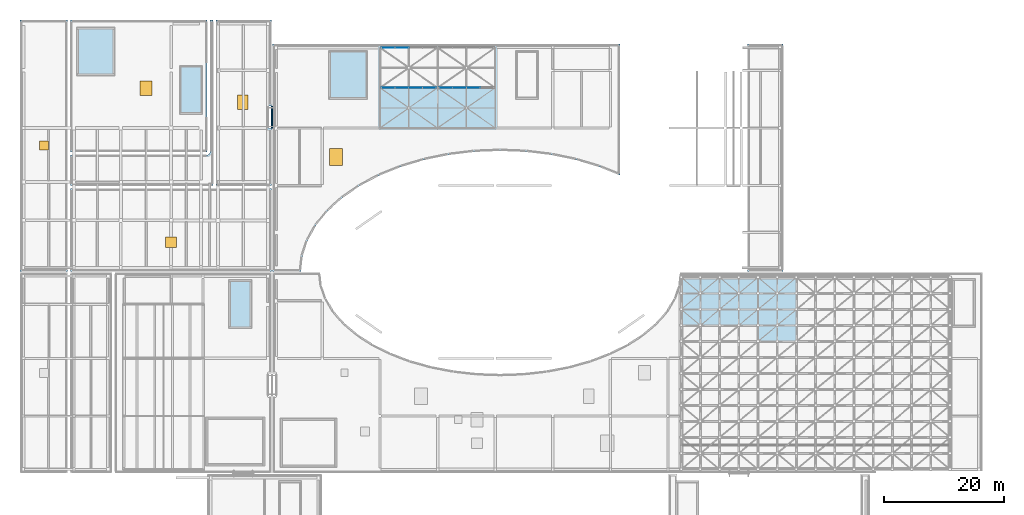
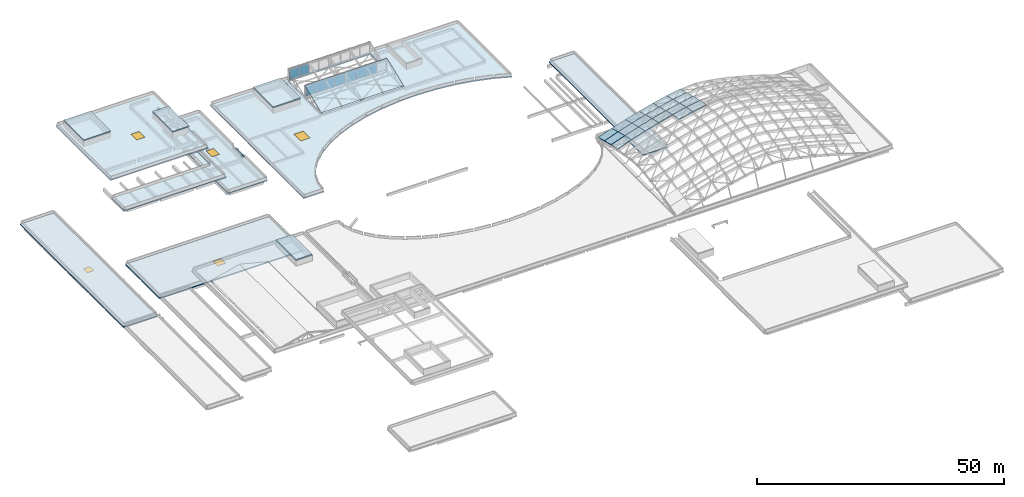
"""IFC4 building model written with IfcOpenShell, lengths in metres."""

from ifc_helpers import new_model, si_unit, direction, frame, origin, origin_2d, place, context, subcontext, project, spatial, polyline, rectangle, outline, extrude, material, layer, layer_set, type_object, element, fill, aggregate, save


model = new_model("IFC4")

# Units and contexts
model_context = context("Model", 3, precision=1e-05, world=origin(), true_north=direction((0.0, 1.0)))
body_context = subcontext(model_context, "Body", "Model", "MODEL_VIEW")
ifc_project = project(units=[si_unit("LENGTHUNIT", "METRE"), si_unit("AREAUNIT", "SQUARE_METRE"), si_unit("VOLUMEUNIT", "CUBIC_METRE"), si_unit("PLANEANGLEUNIT", "RADIAN"), si_unit("MASSUNIT", "GRAM", prefix="KILO")], contexts=[model_context])

# Site, building, storey
site_placement = place(None, origin())
site = spatial("IfcSite", under=ifc_project, at=site_placement, CompositionType="ELEMENT")
building_placement = place(site_placement, origin())
building = spatial("IfcBuilding", under=site, at=building_placement, Name="Mzevani Central Library", CompositionType="ELEMENT")
storey_1_placement = place(building_placement, frame((0.0, 0.0, 26.699951171875)))
storey_1 = spatial("IfcBuildingStorey", under=building, at=storey_1_placement, Name="RF", CompositionType="ELEMENT", Elevation=26.699951171875)

# Curtain wall, plates
ifc_material_1 = material(Name="Thermally broken aluminium and Low-E triple glazing", Category="aluminium")
curtain_wall_type = type_object("IfcCurtainWallType", Name="Sawtooth Clerestory Curtain Wall", PredefinedType="NOTDEFINED", material=ifc_material_1)
curtain_wall_1_placement = place(storey_1_placement, origin())
curtain_wall_1 = element("IfcCurtainWall", 1, at=curtain_wall_1_placement, inside=storey_1, type_object=curtain_wall_type, Name="RF Sawtooth Northlight Clerestory 1.1", PredefinedType="NOTDEFINED")
ifc_material_2 = material(Name="Low-E triple glazing glass", Category="glass")
ifc_layer_1 = layer(ifc_material_2, 0.028076171875, Name="CW Triple Glazed Vision Panel 28")
ifc_layer_set_1 = layer_set([ifc_layer_1], Name="Low-E triple glazing glass")
plate_type = type_object("IfcPlateType", Name="CW Triple Glazed Vision Panel 28", PredefinedType="CURTAIN_PANEL", material=ifc_layer_set_1)
plate_1_placement = place(storey_1_placement, frame((65.35009765625, 106.699951171875, -3.949951171875), z_axis=(0.0, 0.0, 1.0), x_axis=(1.0, 0.0, 0.0)))
plate_1 = element("IfcPlate", 2, at=plate_1_placement, type_object=plate_type, Name="RF Sawtooth Northlight Clerestory 1.1 Vision Panel 1", PredefinedType="CURTAIN_PANEL", context=body_context, shape_type="SweptSolid", body=[
    extrude(rectangle(XDim=2.300048828125, YDim=0.028076171875, at=origin_2d()), origin(), (0.0, 0.0, 1.0), 2.5),
])
plate_2_placement = place(storey_1_placement, frame((67.64990234375, 106.699951171875, -3.949951171875), z_axis=(0.0, 0.0, 1.0), x_axis=(1.0, 0.0, 0.0)))
plate_2 = element("IfcPlate", 3, at=plate_2_placement, type_object=plate_type, Name="RF Sawtooth Northlight Clerestory 1.1 Vision Panel 2", PredefinedType="CURTAIN_PANEL", context=body_context, shape_type="SweptSolid", body=[
    extrude(rectangle(XDim=2.300048828125, YDim=0.028076171875, at=origin_2d()), origin(), (0.0, 0.0, 1.0), 2.5),
])
plate_3_placement = place(storey_1_placement, frame((69.949951171875, 106.699951171875, -3.949951171875), z_axis=(0.0, 0.0, 1.0), x_axis=(1.0, 0.0, 0.0)))
plate_3 = element("IfcPlate", 4, at=plate_3_placement, type_object=plate_type, Name="RF Sawtooth Northlight Clerestory 1.1 Vision Panel 3", PredefinedType="CURTAIN_PANEL", context=body_context, shape_type="SweptSolid", body=[
    extrude(rectangle(XDim=2.300048828125, YDim=0.028076171875, at=origin_2d()), origin(), (0.0, 0.0, 1.0), 2.5),
])
plate_4_placement = place(storey_1_placement, frame((72.25, 106.699951171875, -3.949951171875), z_axis=(0.0, 0.0, 1.0), x_axis=(1.0, 0.0, 0.0)))
plate_4 = element("IfcPlate", 5, at=plate_4_placement, type_object=plate_type, Name="RF Sawtooth Northlight Clerestory 1.1 Vision Panel 4", PredefinedType="CURTAIN_PANEL", context=body_context, shape_type="SweptSolid", body=[
    extrude(rectangle(XDim=2.300048828125, YDim=0.028076171875, at=origin_2d()), origin(), (0.0, 0.0, 1.0), 2.5),
])
aggregate(curtain_wall_1, [plate_1, plate_2, plate_3, plate_4])

curtain_wall_2_placement = place(storey_1_placement, origin())
curtain_wall_2 = element("IfcCurtainWall", 6, at=curtain_wall_2_placement, inside=storey_1, type_object=curtain_wall_type, Name="RF Sawtooth Northlight Clerestory 1.2", PredefinedType="NOTDEFINED")
plate_5_placement = place(storey_1_placement, frame((74.949951171875, 106.699951171875, -3.949951171875), z_axis=(0.0, 0.0, 1.0), x_axis=(1.0, 0.0, 0.0)))
plate_5 = element("IfcPlate", 7, at=plate_5_placement, type_object=plate_type, Name="RF Sawtooth Northlight Clerestory 1.2 Vision Panel 1", PredefinedType="CURTAIN_PANEL", context=body_context, shape_type="SweptSolid", body=[
    extrude(rectangle(XDim=2.300048828125, YDim=0.028076171875, at=origin_2d()), origin(), (0.0, 0.0, 1.0), 2.5),
])
plate_6_placement = place(storey_1_placement, frame((77.25, 106.699951171875, -3.949951171875), z_axis=(0.0, 0.0, 1.0), x_axis=(1.0, 0.0, 0.0)))
plate_6 = element("IfcPlate", 8, at=plate_6_placement, type_object=plate_type, Name="RF Sawtooth Northlight Clerestory 1.2 Vision Panel 2", PredefinedType="CURTAIN_PANEL", context=body_context, shape_type="SweptSolid", body=[
    extrude(rectangle(XDim=2.300048828125, YDim=0.028076171875, at=origin_2d()), origin(), (0.0, 0.0, 1.0), 2.5),
])
plate_7_placement = place(storey_1_placement, frame((79.550048828125, 106.699951171875, -3.949951171875), z_axis=(0.0, 0.0, 1.0), x_axis=(1.0, 0.0, 0.0)))
plate_7 = element("IfcPlate", 9, at=plate_7_placement, type_object=plate_type, Name="RF Sawtooth Northlight Clerestory 1.2 Vision Panel 3", PredefinedType="CURTAIN_PANEL", context=body_context, shape_type="SweptSolid", body=[
    extrude(rectangle(XDim=2.300048828125, YDim=0.028076171875, at=origin_2d()), origin(), (0.0, 0.0, 1.0), 2.5),
])
aggregate(curtain_wall_2, [plate_5, plate_6, plate_7])

curtain_wall_3_placement = place(storey_1_placement, origin())
curtain_wall_3 = element("IfcCurtainWall", 10, at=curtain_wall_3_placement, inside=storey_1, type_object=curtain_wall_type, Name="RF Sawtooth Northlight Clerestory 2.1", PredefinedType="NOTDEFINED")
plate_8_placement = place(storey_1_placement, frame((65.35009765625, 113.39990234375, -3.949951171875), z_axis=(0.0, 0.0, 1.0), x_axis=(1.0, 0.0, 0.0)))
plate_8 = element("IfcPlate", 11, at=plate_8_placement, type_object=plate_type, Name="RF Sawtooth Northlight Clerestory 2.1 Vision Panel 1", PredefinedType="CURTAIN_PANEL", context=body_context, shape_type="SweptSolid", body=[
    extrude(rectangle(XDim=2.300048828125, YDim=0.028076171875, at=origin_2d()), origin(), (0.0, 0.0, 1.0), 2.5),
])
plate_9_placement = place(storey_1_placement, frame((67.64990234375, 113.39990234375, -3.949951171875), z_axis=(0.0, 0.0, 1.0), x_axis=(1.0, 0.0, 0.0)))
plate_9 = element("IfcPlate", 12, at=plate_9_placement, type_object=plate_type, Name="RF Sawtooth Northlight Clerestory 2.1 Vision Panel 2", PredefinedType="CURTAIN_PANEL", context=body_context, shape_type="SweptSolid", body=[
    extrude(rectangle(XDim=2.300048828125, YDim=0.028076171875, at=origin_2d()), origin(), (0.0, 0.0, 1.0), 2.5),
])
aggregate(curtain_wall_3, [plate_8, plate_9])

# Slab
ifc_material_3 = material(Name="Precast concrete C40/50", Category="concrete")
ifc_layer_2 = layer(ifc_material_3, 0.260009765625, Name="Flat Thermal Roof Slab 260")
ifc_layer_set_2 = layer_set([ifc_layer_2], Name="Precast concrete C40/50")
slab_type_1 = type_object("IfcSlabType", Name="Flat Thermal Roof Slab 260", PredefinedType="ROOF", material=ifc_layer_set_2)
slab_1_placement = place(storey_1_placement, frame((0.0, 0.0, -8.659912109375)))
element("IfcSlab", 13, at=slab_1_placement, inside=storey_1, type_object=slab_type_1, Name="Stacks-Court Seismic Passage L03 Roof Slab", PredefinedType="ROOF", context=body_context, shape_type="SweptSolid", body=[
    extrude(outline(polyline([(45.89990234375, 100.0), (46.10009765625, 100.0), (46.10009765625, 103.60009765625), (45.89990234375, 103.60009765625), (45.89990234375, 100.0)])), origin(), (0.0, 0.0, 1.0), 0.260009765625),
])

# Slab, opening
slab_2_placement = place(storey_1_placement, frame((0.0, 0.0, -21.56005859375)))
slab_2 = element("IfcSlab", 14, at=slab_2_placement, inside=storey_1, type_object=slab_type_1, Name="RF V2 Insulated Concrete Roof (L00 Top 1)", PredefinedType="ROOF", context=body_context, shape_type="SweptSolid", body=[
    extrude(outline(polyline([(4.0, 76.10009765625), (4.0, 118.0), (11.919921875, 118.0), (11.919921875, 76.10009765625), (4.0, 76.10009765625)])), origin(), (0.0, 0.0, 1.0), 0.260009765625),
])
opening_1_placement = place(slab_2_placement, frame((7.9599609375, 97.050048828125, 0.0)))
opening_1 = element("IfcOpeningElement", 15, at=opening_1_placement, cuts=slab_2, Name="Opening SK-01", PredefinedType="OPENING", context=body_context, shape_type="SweptSolid", body=[
    extrude(rectangle(XDim=1.5, YDim=1.5, at=origin_2d()), origin(), (0.0, 0.0, 1.0), 0.260009765625),
])

# Storey
storey_2_placement = place(building_placement, origin())
storey_2 = spatial("IfcBuildingStorey", under=building, at=storey_2_placement, Name="L00", CompositionType="ELEMENT", Elevation=0.0)

# Window
window_type_1 = type_object("IfcWindowType", Name="Smoke Vent Skylight 1500x1500", PartitioningType="SINGLE_PANEL", PredefinedType="SKYLIGHT", material=ifc_material_2)
window_1_placement = place(opening_1_placement, frame((0.0, 0.0, 0.2099609375)))
window_1 = element("IfcWindow", 16, at=window_1_placement, inside=storey_2, type_object=window_type_1, Name="L00 V2 SK-01 Roof Hatch / Skylight (2)", OverallHeight=1.5, OverallWidth=1.5, PartitioningType="SINGLE_PANEL", PredefinedType="SKYLIGHT", context=body_context, shape_type="SweptSolid", body=[
    extrude(rectangle(XDim=1.5, YDim=1.5, at=origin_2d()), origin(), (0.0, 0.0, 1.0), 0.050048828125),
])

fill(opening_1, window_1)

# Slab, opening
slab_3_placement = place(storey_1_placement, frame((0.0, 0.0, -17.35986328125)))
slab_3 = element("IfcSlab", 17, at=slab_3_placement, inside=storey_1, type_object=slab_type_1, Name="RF V2 Insulated Concrete Roof (L01 Top 1)", PredefinedType="ROOF", context=body_context, shape_type="SweptSolid", body=[
    extrude(outline(polyline([(12.39990234375, 89.919921875), (45.89990234375, 89.919921875), (45.89990234375, 76.10009765625), (12.39990234375, 76.10009765625), (12.39990234375, 89.919921875)])), origin(), (0.0, 0.0, 1.0), 0.260009765625),
])
opening_2_placement = place(slab_3_placement, frame((29.14990234375, 80.949951171875, 0.0)))
opening_2 = element("IfcOpeningElement", 18, at=opening_2_placement, cuts=slab_3, Name="Opening SK-02", PredefinedType="OPENING", context=body_context, shape_type="SweptSolid", body=[
    extrude(rectangle(XDim=1.800048828125, YDim=1.800048828125, at=origin_2d()), origin(), (0.0, 0.0, 1.0), 0.260009765625),
])

# Storey
storey_3_placement = place(building_placement, frame((0.0, 0.0, 5.39990234375)))
storey_3 = spatial("IfcBuildingStorey", under=building, at=storey_3_placement, Name="L01", CompositionType="ELEMENT", Elevation=5.39990234375)

# Window
window_type_2 = type_object("IfcWindowType", Name="Atrium Skylight 1800x1800", PartitioningType="SINGLE_PANEL", PredefinedType="SKYLIGHT", material=ifc_material_2)
window_2_placement = place(opening_2_placement, frame((0.0, 0.0, 0.2099609375)))
window_2 = element("IfcWindow", 19, at=window_2_placement, inside=storey_3, type_object=window_type_2, Name="L01 V2 SK-02 Roof Hatch / Skylight (3)", OverallHeight=1.800048828125, OverallWidth=1.800048828125, PartitioningType="SINGLE_PANEL", PredefinedType="SKYLIGHT", context=body_context, shape_type="SweptSolid", body=[
    extrude(rectangle(XDim=1.800048828125, YDim=1.800048828125, at=origin_2d()), origin(), (0.0, 0.0, 1.0), 0.050048828125),
])

fill(opening_2, window_2)

# Slab, opening
slab_4_placement = place(storey_1_placement, frame((0.0, 0.0, -8.659912109375)))
slab_4 = element("IfcSlab", 20, at=slab_4_placement, inside=storey_1, type_object=slab_type_1, Name="RF V2 Insulated Concrete Roof (L03 Top 1)", PredefinedType="ROOF", context=body_context, shape_type="SweptSolid", body=[
    extrude(outline(polyline([(45.89990234375, 103.679931640625), (45.47998046875, 103.679931640625), (45.47998046875, 99.919921875), (45.89990234375, 99.919921875), (45.89990234375, 90.39990234375), (36.679931640625, 90.39990234375), (36.679931640625, 118.0), (45.89990234375, 118.0), (45.89990234375, 103.679931640625)])), origin(), (0.0, 0.0, 1.0), 0.260009765625),
])
opening_3_placement = place(slab_4_placement, frame((41.12060546875, 104.31103515625, 0.0)))
opening_3 = element("IfcOpeningElement", 21, at=opening_3_placement, cuts=slab_4, Name="Opening SK-03", PredefinedType="OPENING", context=body_context, shape_type="SweptSolid", body=[
    extrude(rectangle(XDim=1.800048828125, YDim=2.39990234375, at=origin_2d()), origin(), (0.0, 0.0, 1.0), 0.260009765625),
])

# Storey
storey_4_placement = place(building_placement, frame((0.0, 0.0, 13.800048828125)))
storey_4 = spatial("IfcBuildingStorey", under=building, at=storey_4_placement, Name="L03", CompositionType="ELEMENT", Elevation=13.800048828125)

# Window
window_type_3 = type_object("IfcWindowType", Name="Atrium Skylight 1800x2400", PartitioningType="SINGLE_PANEL", PredefinedType="SKYLIGHT", material=ifc_material_2)
window_3_placement = place(opening_3_placement, frame((0.0, 0.0, 0.2099609375)))
window_3 = element("IfcWindow", 22, at=window_3_placement, inside=storey_4, type_object=window_type_3, Name="L03 V2 SK-03 Roof Hatch / Skylight (4)", OverallHeight=2.39990234375, OverallWidth=1.800048828125, PartitioningType="SINGLE_PANEL", PredefinedType="SKYLIGHT", context=body_context, shape_type="SweptSolid", body=[
    extrude(rectangle(XDim=1.800048828125, YDim=2.39990234375, at=origin_2d()), origin(), (0.0, 0.0, 1.0), 0.050048828125),
])

fill(opening_3, window_3)

# Slab
slab_5_placement = place(storey_1_placement, frame((0.0, 0.0, -4.4599609375)))
element("IfcSlab", 23, at=slab_5_placement, inside=storey_1, type_object=slab_type_1, Name="RF V2 Insulated Concrete Roof (L04 Top 1)", PredefinedType="ROOF", context=body_context, shape_type="SweptSolid", body=[
    extrude(outline(polyline([(36.199951171875, 118.0), (36.199951171875, 90.39990234375), (12.39990234375, 90.39990234375), (12.39990234375, 95.52001953125), (35.199951171875, 95.52001953125), (35.3837890625, 95.556396484375), (35.571044921875, 95.695556640625), (35.679931640625, 96.0), (35.679931640625, 118.0), (36.199951171875, 118.0)])), origin(), (0.0, 0.0, 1.0), 0.260009765625),
])

# Slab, opening
slab_6_placement = place(storey_1_placement, frame((0.0, 0.0, -0.260009765625)))
slab_6 = element("IfcSlab", 24, at=slab_6_placement, inside=storey_1, type_object=slab_type_1, Name="RF V2 Insulated Concrete Roof (L05 Top 1)", PredefinedType="ROOF", context=body_context, shape_type="SweptSolid", body=[
    extrude(outline(polyline([(12.39990234375, 96.0), (12.39990234375, 118.0), (35.199951171875, 118.0), (35.199951171875, 96.0), (12.39990234375, 96.0)])), origin(), (0.0, 0.0, 1.0), 0.260009765625),
])
opening_4_placement = place(slab_6_placement, frame((25.0, 106.65380859375, 0.0)))
opening_4 = element("IfcOpeningElement", 25, at=opening_4_placement, cuts=slab_6, Name="Opening SK-04", PredefinedType="OPENING", context=body_context, shape_type="SweptSolid", body=[
    extrude(rectangle(XDim=2.0, YDim=2.39990234375, at=origin_2d()), origin(), (0.0, 0.0, 1.0), 0.260009765625),
])

# Storey
storey_5_placement = place(building_placement, frame((0.0, 0.0, 22.5)))
storey_5 = spatial("IfcBuildingStorey", under=building, at=storey_5_placement, Name="L05", CompositionType="ELEMENT", Elevation=22.5)

# Window
window_type_4 = type_object("IfcWindowType", Name="Reading Northlight 2000x2400", PartitioningType="SINGLE_PANEL", PredefinedType="SKYLIGHT", material=ifc_material_2)
window_4_placement = place(opening_4_placement, frame((0.0, 0.0, 0.2099609375)))
window_4 = element("IfcWindow", 26, at=window_4_placement, inside=storey_5, type_object=window_type_4, Name="L05 V2 SK-04 Roof Hatch / Skylight (5)", OverallHeight=2.39990234375, OverallWidth=2.0, PartitioningType="SINGLE_PANEL", PredefinedType="SKYLIGHT", context=body_context, shape_type="SweptSolid", body=[
    extrude(rectangle(XDim=2.0, YDim=2.39990234375, at=origin_2d()), origin(), (0.0, 0.0, 1.0), 0.050048828125),
])

fill(opening_4, window_4)

# Slab
slab_7_placement = place(storey_1_placement, frame((0.0, 0.0, -21.56005859375)))
element("IfcSlab", 27, at=slab_7_placement, inside=storey_1, type_object=slab_type_1, Name="RF V3 Insulated Concrete Roof (L00 Top 1)", PredefinedType="ROOF", context=body_context, shape_type="SweptSolid", body=[
    extrude(outline(polyline([(131.199951171875, 76.10009765625), (125.280029296875, 76.10009765625), (125.280029296875, 114.0), (131.199951171875, 114.0), (131.199951171875, 76.10009765625)])), origin(), (0.0, 0.0, 1.0), 0.260009765625),
])

# Slab, opening
slab_8_placement = place(storey_1_placement, frame((0.0, 0.0, -4.4599609375)))
slab_8 = element("IfcSlab", 28, at=slab_8_placement, inside=storey_1, type_object=slab_type_1, Name="RF V3 Insulated Concrete Roof (L04 Top 1)", PredefinedType="ROOF", context=body_context, shape_type="SweptSolid", body=[
    extrude(outline(polyline([(104.0, 114.0), (104.0, 92.121337890625), (100.60009765625, 93.50439453125), (96.705078125, 94.673583984375), (92.5927734375, 95.523681640625), (88.33349609375, 96.039306640625), (84.0, 96.21240234375), (79.66650390625, 96.039306640625), (75.4072265625, 95.523681640625), (71.294921875, 94.673583984375), (67.39990234375, 93.50439453125), (63.7890625, 92.035400390625), (60.524169921875, 90.292236328125), (57.66064453125, 88.304443359375), (55.248046875, 86.106201171875), (53.3271484375, 83.73486328125), (51.931396484375, 81.231201171875), (51.083984375, 78.63818359375), (50.810791015625, 76.10009765625), (46.10009765625, 76.10009765625), (46.10009765625, 114.0), (104.0, 114.0)]), holes=[polyline([(83.199951171875, 113.39990234375), (64.0, 113.39990234375), (64.0, 100.0), (83.199951171875, 100.0), (83.199951171875, 113.39990234375)])]), origin(), (0.0, 0.0, 1.0), 0.260009765625),
])
opening_5_placement = place(slab_8_placement, frame((56.657470703125, 95.17822265625, 0.0)))
opening_5 = element("IfcOpeningElement", 29, at=opening_5_placement, cuts=slab_8, Name="Opening SK-05", PredefinedType="OPENING", context=body_context, shape_type="SweptSolid", body=[
    extrude(rectangle(XDim=2.199951171875, YDim=2.800048828125, at=origin_2d()), origin(), (0.0, 0.0, 1.0), 0.260009765625),
])

# Storey
storey_6_placement = place(building_placement, frame((0.0, 0.0, 18.300048828125)))
storey_6 = spatial("IfcBuildingStorey", under=building, at=storey_6_placement, Name="L04", CompositionType="ELEMENT", Elevation=18.300048828125)

# Window
window_type_5 = type_object("IfcWindowType", Name="Reading Northlight 2200x2800", PartitioningType="SINGLE_PANEL", PredefinedType="SKYLIGHT", material=ifc_material_2)
window_5_placement = place(opening_5_placement, frame((0.0, 0.0, 0.2099609375)))
window_5 = element("IfcWindow", 30, at=window_5_placement, inside=storey_6, type_object=window_type_5, Name="L04 V3 SK-05 Roof Hatch / Skylight (6)", OverallHeight=2.800048828125, OverallWidth=2.199951171875, PartitioningType="SINGLE_PANEL", PredefinedType="SKYLIGHT", context=body_context, shape_type="SweptSolid", body=[
    extrude(rectangle(XDim=2.199951171875, YDim=2.800048828125, at=origin_2d()), origin(), (0.0, 0.0, 1.0), 0.050048828125),
])

fill(opening_5, window_5)

# Slabs
slab_9_placement = place(storey_1_placement, frame((0.0, 0.0, 1.5)))
element("IfcSlab", 31, at=slab_9_placement, inside=storey_1, type_object=slab_type_1, Name="RF Core C2A North-West Firefighting Core Overrun Roof Slab", PredefinedType="ROOF", context=body_context, shape_type="SweptSolid", body=[
    extrude(outline(polyline([(13.5, 108.699951171875), (19.800048828125, 108.699951171875), (19.800048828125, 116.800048828125), (13.5, 116.800048828125), (13.5, 108.699951171875)])), origin(), (0.0, 0.0, 1.0), 0.260009765625),
])
slab_10_placement = place(storey_1_placement, frame((0.0, 0.0, 1.5)))
element("IfcSlab", 32, at=slab_10_placement, inside=storey_1, type_object=slab_type_1, Name="RF Core C2B Stacks East Escape Stair Overrun Roof Slab", PredefinedType="ROOF", context=body_context, shape_type="SweptSolid", body=[
    extrude(outline(polyline([(30.60009765625, 102.300048828125), (34.39990234375, 102.300048828125), (34.39990234375, 110.39990234375), (30.60009765625, 110.39990234375), (30.60009765625, 102.300048828125)])), origin(), (0.0, 0.0, 1.0), 0.260009765625),
])
slab_11_placement = place(storey_1_placement, frame((0.0, 0.0, -2.699951171875)))
element("IfcSlab", 33, at=slab_11_placement, inside=storey_1, type_object=slab_type_1, Name="RF Core C3A North-East Firefighting Core Overrun Roof Slab", PredefinedType="ROOF", context=body_context, shape_type="SweptSolid", body=[
    extrude(outline(polyline([(55.5, 104.800048828125), (61.89990234375, 104.800048828125), (61.89990234375, 112.89990234375), (55.5, 112.89990234375), (55.5, 104.800048828125)])), origin(), (0.0, 0.0, 1.0), 0.260009765625),
])
slab_12_placement = place(storey_1_placement, frame((0.0, 0.0, -11.39990234375)))
element("IfcSlab", 34, at=slab_12_placement, inside=storey_1, type_object=slab_type_1, Name="RF Core C5B Lecture North Escape Stair Overrun Roof Slab", PredefinedType="ROOF", context=body_context, shape_type="SweptSolid", body=[
    extrude(outline(polyline([(38.800048828125, 66.60009765625), (42.60009765625, 66.60009765625), (42.60009765625, 74.699951171875), (38.800048828125, 74.699951171875), (38.800048828125, 66.60009765625)])), origin(), (0.0, 0.0, 1.0), 0.260009765625),
])

# Roof, slabs
ifc_material_4 = material(Name="Glulam GL28h", Category="wood")
roof_type = type_object("IfcRoofType", Name="Translational Gridshell Pavilion Roof", PredefinedType="PAVILION_ROOF", material=ifc_material_4)
roof_placement = place(storey_1_placement, origin())
roof = element("IfcRoof", 35, at=roof_placement, inside=storey_1, type_object=roof_type, Name="RF Volume V1 Main Reading Hall Translational Gridshell Roof", PredefinedType="PAVILION_ROOF")
ifc_layer_3 = layer(ifc_material_4, 0.179931640625, Name="Gridshell Roof Quad Slab 180")
ifc_layer_set_3 = layer_set([ifc_layer_3], Name="Glulam GL28h")
slab_type_2 = type_object("IfcSlabType", Name="Gridshell Roof Quad Slab 180", PredefinedType="ROOF", material=ifc_layer_set_3)
slab_13_placement = place(storey_1_placement, frame((114.199951171875, 67.10009765625, -10.47119140625), z_axis=(-0.323411186578, 0.209769282972, 0.922714502063), x_axis=(0.943711214964, 0.0, 0.330770528843)))
slab_13 = element("IfcSlab", 36, at=slab_13_placement, type_object=slab_type_2, Name="RF Gridshell Roof Panel 1.10", PredefinedType="ROOF", context=body_context, shape_type="SweptSolid", body=[
    extrude(outline(polyline([(0.0, 0.0), (3.3908160898531583, 0.0), (3.1903026076468333, 2.7271811979189478), (-0.2005134822063253, 2.7271811979189478), (0.0, 0.0)])), origin(), (0.0, 0.0, -1.0), 0.179931640625),
])
slab_14_placement = place(storey_1_placement, frame((114.199951171875, 69.7666015625, -11.077392578125), z_axis=(-0.321645627911, 0.233657554325, 0.917577374041), x_axis=(0.943700590547, 7.718419e-06, 0.330800839392)))
slab_14 = element("IfcSlab", 37, at=slab_14_placement, type_object=slab_type_2, Name="RF Gridshell Roof Panel 1.11", PredefinedType="ROOF", context=body_context, shape_type="SweptSolid", body=[
    extrude(outline(polyline([(0.0, 0.0), (3.3908160880031604, 2.7755575615628914e-17), (3.1662377613285986, 2.7426428324274013), (-0.22465908859824146, 2.742696666718075), (0.0, 0.0)])), origin(), (0.0, 0.0, -1.0), 0.179931640625),
])
slab_15_placement = place(storey_1_placement, frame((114.199951171875, 72.433349609375, -11.756591796875), z_axis=(-0.319948551713, 0.254415341198, 0.912636706702), x_axis=(0.943688738215, 0.0, 0.330834649584)))
slab_15 = element("IfcSlab", 38, at=slab_15_placement, type_object=slab_type_2, Name="RF Gridshell Roof Panel 1.12", PredefinedType="ROOF", context=body_context, shape_type="SweptSolid", body=[
    extrude(outline(polyline([(0.0, 0.0), (3.3908968522041336, 0.0), (3.1449516598252814, 2.757482885591658), (-0.24594519237885254, 2.757482885591658), (0.0, 0.0)])), origin(), (0.0, 0.0, -1.0), 0.179931640625),
])
slab_16_placement = place(storey_1_placement, frame((117.39990234375, 67.10009765625, -9.349609375), z_axis=(-0.302193151802, 0.211358905022, 0.92951961371), x_axis=(0.951003730558, -7.126729e-06, 0.309179404901)))
slab_16 = element("IfcSlab", 39, at=slab_16_placement, type_object=slab_type_2, Name="RF Gridshell Roof Panel 2.10", PredefinedType="ROOF", context=body_context, shape_type="SweptSolid", body=[
    extrude(outline(polyline([(0.0, 0.0), (3.365107305623953, 0.0), (3.1775879013493964, 2.7281597202593444), (-0.18744392102140647, 2.728110647760928), (0.0, 0.0)])), origin(), (0.0, 0.0, -1.0), 0.179931640625),
])
slab_17_placement = place(storey_1_placement, frame((117.39990234375, 69.7666015625, -9.955810546875), z_axis=(-0.300463044866, 0.235328766142, 0.924306405093), x_axis=(0.951014872747, 0.0, 0.309145130666)))
slab_17 = element("IfcSlab", 40, at=slab_17_placement, type_object=slab_type_2, Name="RF Gridshell Roof Panel 2.11", PredefinedType="ROOF", context=body_context, shape_type="SweptSolid", body=[
    extrude(outline(polyline([(0.0, 0.0), (3.365031824641631, -2.7755575615628914e-17), (3.1551361682981494, 2.7438055610905616), (-0.2098956563434819, 2.7438055610905616), (0.0, 0.0)])), origin(), (0.0, 0.0, -1.0), 0.179931640625),
])
slab_18_placement = place(storey_1_placement, frame((117.39990234375, 72.433349609375, -10.634765625), z_axis=(-0.298822023587, 0.256261205158, 0.919258175351), x_axis=(0.951014872747, 0.0, 0.309145130666)))
slab_18 = element("IfcSlab", 41, at=slab_18_placement, type_object=slab_type_2, Name="RF Gridshell Roof Panel 2.12", PredefinedType="ROOF", context=body_context, shape_type="SweptSolid", body=[
    extrude(outline(polyline([(0.0, 0.0), (3.365031824641631, -5.551115123125783e-17), (3.1352107985481745, 2.7588735378684035), (-0.22982102609345645, 2.7588735378684035), (0.0, 0.0)])), origin(), (0.0, 0.0, -1.0), 0.179931640625),
])
slab_19_placement = place(storey_1_placement, frame((120.60009765625, 67.10009765625, -8.30908203125), z_axis=(-0.278158208575, 0.212974962778, 0.936626753959), x_axis=(0.958620189358, 7.294788e-06, 0.284688132002)))
slab_19 = element("IfcSlab", 42, at=slab_19_placement, type_object=slab_type_2, Name="RF Gridshell Roof Panel 3.10", PredefinedType="ROOF", context=body_context, shape_type="SweptSolid", body=[
    extrude(outline(polyline([(0.0, 0.0), (3.3380471268705634, -2.7755575615628914e-17), (3.165488299213955, 2.7290925929243537), (-0.1726283315950856, 2.7291424376822278), (0.0, 0.0)])), origin(), (0.0, 0.0, -1.0), 0.179931640625),
])
slab_20_placement = place(storey_1_placement, frame((120.60009765625, 69.7666015625, -8.91552734375), z_axis=(-0.27656864526, 0.23714542527, 0.931274305311), x_axis=(0.95861917542, -8.076086e-06, 0.284691546155)))
slab_20 = element("IfcSlab", 43, at=slab_20_placement, type_object=slab_type_2, Name="RF Gridshell Roof Panel 3.11", PredefinedType="ROOF", context=body_context, shape_type="SweptSolid", body=[
    extrude(outline(polyline([(0.0, 0.0), (3.338116631203496, -8.326672684688674e-17), (3.144732818584707, 2.7450791267932337), (-0.19331430784677853, 2.745023626324866), (0.0, 0.0)])), origin(), (0.0, 0.0, -1.0), 0.179931640625),
])
slab_21_placement = place(storey_1_placement, frame((120.60009765625, 72.433349609375, -9.594482421875), z_axis=(-0.275041215881, 0.258134767317, 0.926131076829), x_axis=(0.958620401674, 8.742518e-06, 0.284687417034)))
slab_21 = element("IfcSlab", 44, at=slab_21_placement, type_object=slab_type_2, Name="RF Gridshell Roof Panel 3.12", PredefinedType="ROOF", context=body_context, shape_type="SweptSolid", body=[
    extrude(outline(polyline([(0.0, 0.0), (3.3380471269142014, 0.0), (3.1265009836224076, 2.7602692234237765), (-0.21161564705571778, 2.760329637402996), (0.0, 0.0)])), origin(), (0.0, 0.0, -1.0), 0.179931640625),
])
slab_22_placement = place(storey_1_placement, frame((123.800048828125, 67.10009765625, -7.35888671875), z_axis=(-0.25029949764, 0.214626338106, 0.944079285056), x_axis=(0.966604816788, 0.0, 0.256271590626)))
slab_22 = element("IfcSlab", 45, at=slab_22_placement, type_object=slab_type_2, Name="RF Gridshell Roof Panel 4.10", PredefinedType="ROOF", context=body_context, shape_type="SweptSolid", body=[
    extrude(outline(polyline([(0.0, 0.0), (3.3105061306316914, 2.7755575615628914e-17), (3.1551539920757765, 2.730126124536234), (-0.15535213855591481, 2.730126124536234), (0.0, 0.0)])), origin(), (0.0, 0.0, -1.0), 0.179931640625),
])
slab_23_placement = place(storey_1_placement, frame((123.800048828125, 69.7666015625, -7.965087890625), z_axis=(-0.248877787207, 0.239006258863, 0.938581831946), x_axis=(0.96659620398, 8.271744e-06, 0.256304074065)))
slab_23 = element("IfcSlab", 46, at=slab_23_placement, type_object=slab_type_2, Name="RF Gridshell Roof Panel 4.11", PredefinedType="ROOF", context=body_context, shape_type="SweptSolid", body=[
    extrude(outline(polyline([(0.0, 0.0), (3.3105061286490693, 2.7755575615628914e-17), (3.136509234675233, 2.746315752309599), (-0.17405946821066895, 2.746372154800126), (0.0, 0.0)])), origin(), (0.0, 0.0, -1.0), 0.179931640625),
])
slab_24_placement = place(storey_1_placement, frame((123.800048828125, 72.433349609375, -8.644287109375), z_axis=(-0.247481814894, 0.260137728411, 0.933317263075), x_axis=(0.966595063949, -8.952413e-06, 0.256308373388)))
slab_24 = element("IfcSlab", 47, at=slab_24_placement, type_object=slab_type_2, Name="RF Gridshell Roof Panel 4.12", PredefinedType="ROOF", context=body_context, shape_type="SweptSolid", body=[
    extrude(outline(polyline([(0.0, 0.0), (3.3105687033885474, 8.326672684688674e-17), (3.1200030822529157, 2.7618627107526983), (-0.19050304584915953, 2.7618013226597613), (0.0, 0.0)])), origin(), (0.0, 0.0, -1.0), 0.179931640625),
])
slab_25_placement = place(storey_1_placement, frame((127.0, 64.433349609375, -5.98974609375), z_axis=(-0.218136357702, 0.187040624152, 0.957826881208), x_axis=(0.975034107954, 0.0, 0.222055147039)))
slab_25 = element("IfcSlab", 48, at=slab_25_placement, type_object=slab_type_2, Name="RF Gridshell Roof Panel 5.9", PredefinedType="ROOF", context=body_context, shape_type="SweptSolid", body=[
    extrude(outline(polyline([(0.0, 0.0), (3.2818863932771944, -2.7755575615628914e-17), (3.1662507417550905, 2.7146558047554006), (-0.11563565152210388, 2.7146558047554006), (0.0, 0.0)])), origin(), (0.0, 0.0, -1.0), 0.179931640625),
])
slab_26_placement = place(storey_1_placement, frame((127.0, 67.10009765625, -6.510498046875), z_axis=(-0.216792976935, 0.216410695282, 0.951928157016), x_axis=(0.975034107954, 0.0, 0.222055147039)))
slab_26 = element("IfcSlab", 49, at=slab_26_placement, type_object=slab_type_2, Name="RF Gridshell Roof Panel 5.10", PredefinedType="ROOF", context=body_context, shape_type="SweptSolid", body=[
    extrude(outline(polyline([(0.0, 0.0), (3.2818863932771944, -2.7755575615628914e-17), (3.1472763029211777, 2.731227391925373), (-0.13461009035601684, 2.731227391925373), (0.0, 0.0)])), origin(), (0.0, 0.0, -1.0), 0.179931640625),
])
slab_27_placement = place(storey_1_placement, frame((127.0, 69.7666015625, -7.11669921875), z_axis=(-0.215477211118, 0.240974003352, 0.946309199573), x_axis=(0.975041692952, -8.481834e-06, 0.222021838864)))
slab_27 = element("IfcSlab", 50, at=slab_27_placement, type_object=slab_type_2, Name="RF Gridshell Roof Panel 5.11", PredefinedType="ROOF", context=body_context, shape_type="SweptSolid", body=[
    extrude(outline(polyline([(0.0, 0.0), (3.2818863912442167, 0.0), (3.1310667128283303, 2.747746373943702), (-0.15076547386538264, 2.7476890111818504), (0.0, 0.0)])), origin(), (0.0, 0.0, -1.0), 0.179931640625),
])
slab_28_placement = place(storey_1_placement, frame((127.0, 72.433349609375, -7.795654296875), z_axis=(-0.214212106028, 0.262297321024, 0.94091088261), x_axis=(0.975050212006, 0.0, 0.221984423028)))
slab_28 = element("IfcSlab", 51, at=slab_28_placement, type_object=slab_type_2, Name="RF Gridshell Roof Panel 5.12", PredefinedType="ROOF", context=body_context, shape_type="SweptSolid", body=[
    extrude(outline(polyline([(0.0, 0.0), (3.2818321892280427, 0.0), (3.1168071481831716, 2.7635064027089404), (-0.16502504104487095, 2.7635064027089404), (0.0, 0.0)])), origin(), (0.0, 0.0, -1.0), 0.179931640625),
])
slab_29_placement = place(storey_1_placement, frame((130.199951171875, 64.433349609375, -5.260986328125), z_axis=(-0.174308179138, 0.188721993399, 0.966437099812), x_axis=(0.984121212692, 0.0, 0.177497714718)))
slab_29 = element("IfcSlab", 52, at=slab_29_placement, type_object=slab_type_2, Name="RF Gridshell Roof Panel 6.9", PredefinedType="ROOF", context=body_context, shape_type="SweptSolid", body=[
    extrude(outline(polyline([(0.0, 0.0), (3.251582356529337, 1.3877787807814457e-17), (3.159150074914927, 2.7155448837223597), (-0.09243228161441013, 2.7155448837223597), (0.0, 0.0)])), origin(), (0.0, 0.0, -1.0), 0.179931640625),
])
slab_30_placement = place(storey_1_placement, frame((130.199951171875, 67.10009765625, -5.78173828125), z_axis=(-0.173215507467, 0.218331875324, 0.960378873253), x_axis=(0.984121212692, 0.0, 0.177497714718)))
slab_30 = element("IfcSlab", 53, at=slab_30_placement, type_object=slab_type_2, Name="RF Gridshell Roof Panel 6.10", PredefinedType="ROOF", context=body_context, shape_type="SweptSolid", body=[
    extrude(outline(polyline([(0.0, 0.0), (3.251582356529337, 0.0), (3.143983033862398, 2.7324248074907294), (-0.10759932266693875, 2.732424807490729), (0.0, 0.0)])), origin(), (0.0, 0.0, -1.0), 0.179931640625),
])
slab_31_placement = place(storey_1_placement, frame((130.199951171875, 69.7666015625, -6.387939453125), z_axis=(-0.172208969211, 0.243084282521, 0.954596303426), x_axis=(0.984115041823, 8.71148e-06, 0.177531924967)))
slab_31 = element("IfcSlab", 54, at=slab_31_placement, type_object=slab_type_2, Name="RF Gridshell Roof Panel 6.11", PredefinedType="ROOF", context=body_context, shape_type="SweptSolid", body=[
    extrude(outline(polyline([(0.0, 0.0), (3.2515823544413163, 0.0), (3.1310693837768784, 2.7491820154268143), (-0.12055631341955675, 2.7492404198211147), (0.0, 0.0)])), origin(), (0.0, 0.0, -1.0), 0.179931640625),
])
slab_32_placement = place(storey_1_placement, frame((130.199951171875, 72.433349609375, -7.067138671875), z_axis=(-0.17124325739, 0.264564152245, 0.949042441699), x_axis=(0.984108094626, 0.0, 0.177570431357)))
slab_32 = element("IfcSlab", 55, at=slab_32_placement, type_object=slab_type_2, Name="RF Gridshell Roof Panel 6.12", PredefinedType="ROOF", context=body_context, shape_type="SweptSolid", body=[
    extrude(outline(polyline([(0.0, 0.0), (3.2516256998089466, 0.0), (3.1196183845060697, 2.765280269826496), (-0.13200731530287696, 2.7652802698264956), (0.0, 0.0)])), origin(), (0.0, 0.0, -1.0), 0.179931640625),
])
aggregate(roof, [slab_13, slab_14, slab_15, slab_16, slab_17, slab_18, slab_19, slab_20, slab_21, slab_22, slab_23, slab_24, slab_25, slab_26, slab_27, slab_28, slab_29, slab_30, slab_31, slab_32])

# Slab
ifc_material_5 = material(Name="Concrete C35/45", Category="concrete")
ifc_layer_4 = layer(ifc_material_5, 0.199951171875, Name="Pitched Sawtooth Roof Slab 200")
ifc_layer_set_4 = layer_set([ifc_layer_4], Name="Concrete C35/45")
slab_type_3 = type_object("IfcSlabType", Name="Pitched Sawtooth Roof Slab 200", PredefinedType="ROOF", material=ifc_layer_set_4)
slab_33_placement = place(storey_1_placement, frame((64.0, 100.0, -3.949951171875), z_axis=(0.0, -0.373772799066, 0.927520293405), x_axis=(1.0, 0.0, 0.0)))
element("IfcSlab", 56, at=slab_33_placement, inside=storey_1, type_object=slab_type_3, Name="RF V3 Sawtooth North-Light Roof Slope 1", PredefinedType="ROOF", context=body_context, shape_type="SweptSolid", body=[
    extrude(outline(polyline([(0.0, 0.0), (19.199951171875, 0.0), (19.199951171875, 7.223508983590895), (0.0, 7.223508983590895), (0.0, 0.0)])), origin(), (0.0, 0.0, -1.0), 0.199951171875),
])

save(model, "model.ifc")
